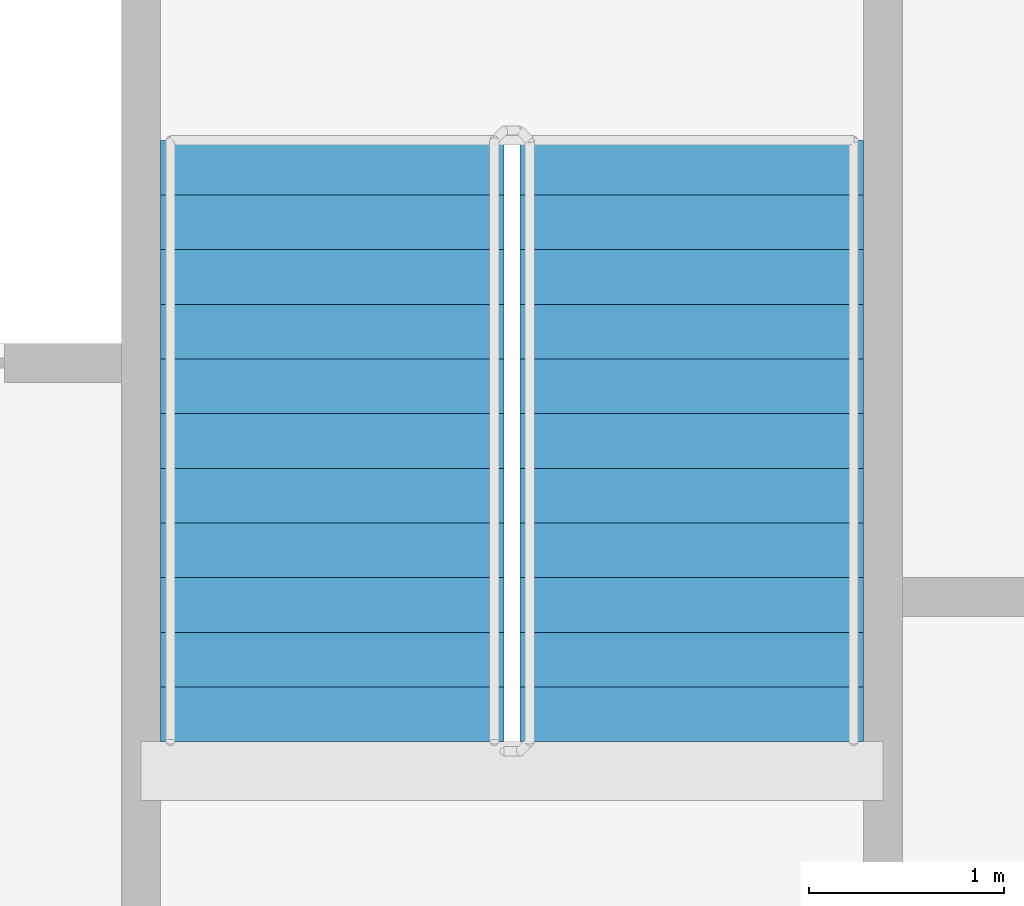
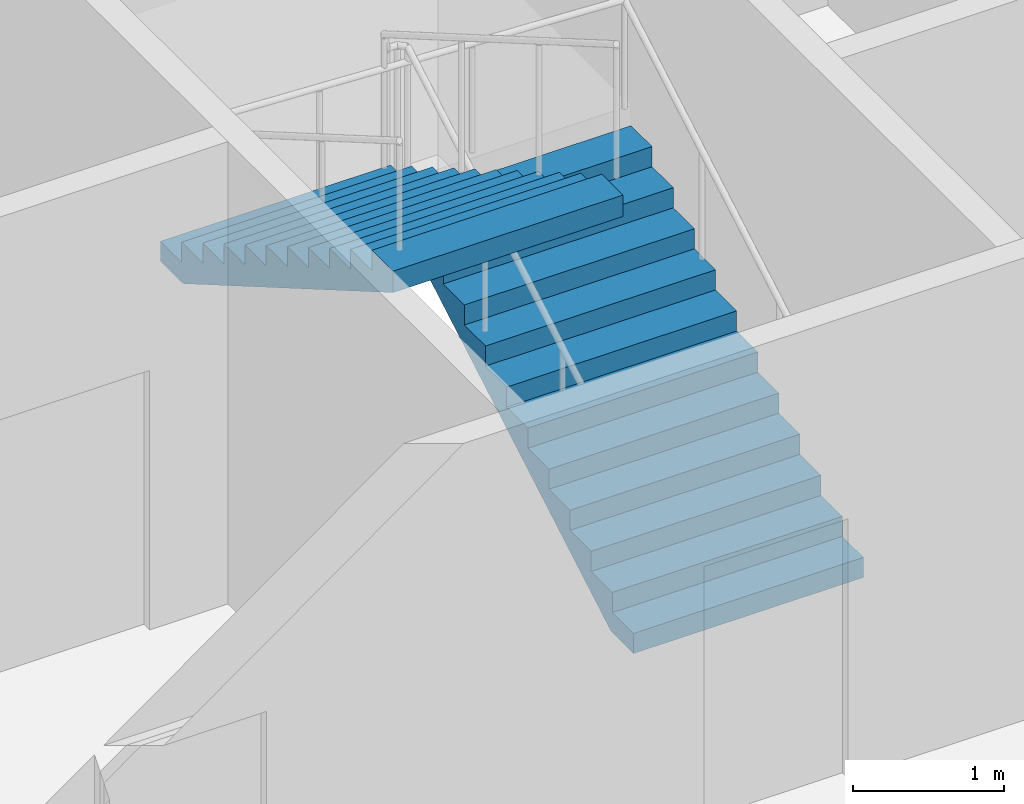
# One storey, part 16 of 21: 2 stair flights, 1 element without a shape of its own.
"""IFC4 building model written with IfcOpenShell, lengths in metres."""

from ifc_helpers import new_model, si_unit, direction, frame, origin, place, context, subcontext, project, spatial, faceted_brep, material, type_object, element, aggregate, save


model = new_model("IFC4")

# Units and contexts
model_context = context("Model", 3, precision=1e-05, world=origin(), true_north=direction((0.0, 1.0)))
body_context = subcontext(model_context, "Body", "Model", "MODEL_VIEW")
ifc_project = project(units=[si_unit("LENGTHUNIT", "METRE"), si_unit("AREAUNIT", "SQUARE_METRE"), si_unit("VOLUMEUNIT", "CUBIC_METRE"), si_unit("PLANEANGLEUNIT", "RADIAN"), si_unit("MASSUNIT", "GRAM", prefix="KILO")], contexts=[model_context])

# Site, building, storey
site_placement = place(None, origin())
site = spatial("IfcSite", under=ifc_project, at=site_placement, CompositionType="ELEMENT")
building_placement = place(site_placement, origin())
building = spatial("IfcBuilding", under=site, at=building_placement, Name="Tarsis Ring Headquarters", CompositionType="ELEMENT")
storey_placement = place(building_placement, frame((0.0, 0.0, 223.800048828125)))
storey = spatial("IfcBuildingStorey", under=building, at=storey_placement, Name="L52", CompositionType="ELEMENT", Elevation=223.800048828125)

# Stair, stair flights
ifc_material_1 = material(Name="Core stair 1760")
stair_type = type_object("IfcStairType", Name="Core stair 1760", PredefinedType="HALF_TURN_STAIR", material=ifc_material_1)
stair_placement = place(storey_placement, origin())
stair = element("IfcStair", 1, at=stair_placement, inside=storey, type_object=stair_type, Name="L52 Exit stair B", PredefinedType="HALF_TURN_STAIR")
ifc_material_2 = material(Name="Concrete C40/50", Category="concrete")
stair_flight_type = type_object("IfcStairFlightType", Name="Core stair flight 1760", PredefinedType="STRAIGHT", material=ifc_material_2)
stair_flight_1_placement = place(storey_placement, frame((5.419921875, 3.659912109375, 0.0), z_axis=(0.0, 0.0, 1.0), x_axis=(0.0, 1.0, 0.0)))
stair_flight_1 = element("IfcStairFlight", 2, at=stair_flight_1_placement, type_object=stair_flight_type, Name="Stair ST2 flight 1", NumberOfRisers=12, NumberOfTreads=11, PredefinedType="STRAIGHT", RiserHeight=0.1625, TreadLength=0.28, context=body_context, shape_type="Brep", body=[
    faceted_brep([(0.0, 0.8798828125, 0.0), (0.0, 0.8798828125, 0.16259765625), (0.280029296875, 0.8798828125, 0.16259765625), (0.280029296875, 0.8798828125, 0.324951171875), (0.56005859375, 0.8798828125, 0.324951171875), (0.56005859375, 0.8798828125, 0.487548828125), (0.840087890625, 0.8798828125, 0.487548828125), (0.840087890625, 0.8798828125, 0.64990234375), (1.1201171875, 0.8798828125, 0.64990234375), (1.1201171875, 0.8798828125, 0.8125), (1.39990234375, 0.8798828125, 0.8125), (1.39990234375, 0.8798828125, 0.97509765625), (1.679931640625, 0.8798828125, 0.97509765625), (1.679931640625, 0.8798828125, 1.137451171875), (1.9599609375, 0.8798828125, 1.137451171875), (1.9599609375, 0.8798828125, 1.300048828125), (2.239990234375, 0.8798828125, 1.300048828125), (2.239990234375, 0.8798828125, 1.46240234375), (2.52001953125, 0.8798828125, 1.46240234375), (2.52001953125, 0.8798828125, 1.625), (2.800048828125, 0.8798828125, 1.625), (2.800048828125, 0.8798828125, 1.78759765625), (3.080078125, 0.8798828125, 1.78759765625), (3.080078125, 0.8798828125, 1.6142578125), (0.298583984375, 0.8798828125, 0.0), (0.298583984375, -0.8798828125, 0.0), (3.080078125, -0.8798828125, 1.6142578125), (3.080078125, -0.8798828125, 1.78759765625), (2.800048828125, -0.8798828125, 1.78759765625), (2.800048828125, -0.8798828125, 1.625), (2.52001953125, -0.8798828125, 1.625), (2.52001953125, -0.8798828125, 1.46240234375), (2.239990234375, -0.8798828125, 1.46240234375), (2.239990234375, -0.8798828125, 1.300048828125), (1.9599609375, -0.8798828125, 1.300048828125), (1.9599609375, -0.8798828125, 1.137451171875), (1.679931640625, -0.8798828125, 1.137451171875), (1.679931640625, -0.8798828125, 0.97509765625), (1.39990234375, -0.8798828125, 0.97509765625), (1.39990234375, -0.8798828125, 0.8125), (1.1201171875, -0.8798828125, 0.8125), (1.1201171875, -0.8798828125, 0.64990234375), (0.840087890625, -0.8798828125, 0.64990234375), (0.840087890625, -0.8798828125, 0.487548828125), (0.56005859375, -0.8798828125, 0.487548828125), (0.56005859375, -0.8798828125, 0.324951171875), (0.280029296875, -0.8798828125, 0.324951171875), (0.280029296875, -0.8798828125, 0.16259765625), (0.0, -0.8798828125, 0.16259765625), (0.0, -0.8798828125, 0.0), (0.0, -0.43994140625, 0.16259765625), (0.0, -0.43994140625, 0.0), (0.0, 0.0, 0.16259765625), (0.0, 0.0, 0.0), (0.0, 0.43994140625, 0.16259765625), (0.0, 0.43994140625, 0.0), (0.280029296875, -0.43994140625, 0.16259765625), (0.280029296875, 0.0, 0.16259765625), (0.280029296875, 0.43994140625, 0.16259765625), (0.280029296875, -0.43994140625, 0.324951171875), (0.280029296875, 0.0, 0.324951171875), (0.280029296875, 0.43994140625, 0.324951171875), (0.56005859375, -0.43994140625, 0.324951171875), (0.56005859375, 0.0, 0.324951171875), (0.56005859375, 0.43994140625, 0.324951171875), (0.56005859375, -0.43994140625, 0.487548828125), (0.56005859375, 0.0, 0.487548828125), (0.56005859375, 0.43994140625, 0.487548828125), (0.840087890625, -0.43994140625, 0.487548828125), (0.840087890625, 0.0, 0.487548828125), (0.840087890625, 0.43994140625, 0.487548828125), (0.840087890625, -0.43994140625, 0.64990234375), (0.840087890625, 0.0, 0.64990234375), (0.840087890625, 0.43994140625, 0.64990234375), (1.1201171875, -0.43994140625, 0.64990234375), (1.1201171875, 0.0, 0.64990234375), (1.1201171875, 0.43994140625, 0.64990234375), (1.1201171875, -0.43994140625, 0.8125), (1.1201171875, 0.0, 0.8125), (1.1201171875, 0.43994140625, 0.8125), (1.39990234375, -0.43994140625, 0.8125), (1.39990234375, 0.0, 0.8125), (1.39990234375, 0.43994140625, 0.8125), (1.39990234375, -0.43994140625, 0.97509765625), (1.39990234375, 0.0, 0.97509765625), (1.39990234375, 0.43994140625, 0.97509765625), (1.679931640625, -0.43994140625, 0.97509765625), (1.679931640625, 0.0, 0.97509765625), (1.679931640625, 0.43994140625, 0.97509765625), (1.679931640625, -0.43994140625, 1.137451171875), (1.679931640625, 0.0, 1.137451171875), (1.679931640625, 0.43994140625, 1.137451171875), (1.9599609375, -0.43994140625, 1.137451171875), (1.9599609375, 0.0, 1.137451171875), (1.9599609375, 0.43994140625, 1.137451171875), (1.9599609375, -0.43994140625, 1.300048828125), (1.9599609375, 0.0, 1.300048828125), (1.9599609375, 0.43994140625, 1.300048828125), (2.239990234375, -0.43994140625, 1.300048828125), (2.239990234375, 0.0, 1.300048828125), (2.239990234375, 0.43994140625, 1.300048828125), (2.239990234375, -0.43994140625, 1.46240234375), (2.239990234375, 0.0, 1.46240234375), (2.239990234375, 0.43994140625, 1.46240234375), (2.52001953125, -0.43994140625, 1.46240234375), (2.52001953125, 0.0, 1.46240234375), (2.52001953125, 0.43994140625, 1.46240234375), (2.52001953125, -0.43994140625, 1.625), (2.52001953125, 0.0, 1.625), (2.52001953125, 0.43994140625, 1.625), (2.800048828125, -0.43994140625, 1.625), (2.800048828125, 0.0, 1.625), (2.800048828125, 0.43994140625, 1.625), (2.800048828125, -0.43994140625, 1.78759765625), (2.800048828125, 0.0, 1.78759765625), (2.800048828125, 0.43994140625, 1.78759765625), (3.080078125, -0.43994140625, 1.78759765625), (3.080078125, 0.0, 1.78759765625), (3.080078125, 0.43994140625, 1.78759765625), (3.080078125, -0.43994140625, 1.6142578125), (3.080078125, 0.0, 1.6142578125), (3.080078125, 0.43994140625, 1.6142578125), (0.298583984375, -0.43994140625, 0.0), (0.298583984375, 0.0, 0.0), (0.298583984375, 0.43994140625, 0.0)], [[[0, 1, 2, 3, 4, 5, 6, 7, 8, 9, 10, 11, 12, 13, 14, 15, 16, 17, 18, 19, 20, 21, 22, 23, 24]], [[25, 26, 27, 28, 29, 30, 31, 32, 33, 34, 35, 36, 37, 38, 39, 40, 41, 42, 43, 44, 45, 46, 47, 48, 49]], [[49, 48, 50, 51]], [[51, 50, 52, 53]], [[53, 52, 54, 55]], [[55, 54, 1, 0]], [[48, 47, 56, 50]], [[50, 56, 57, 52]], [[52, 57, 58, 54]], [[54, 58, 2, 1]], [[47, 46, 59, 56]], [[56, 59, 60, 57]], [[57, 60, 61, 58]], [[58, 61, 3, 2]], [[46, 45, 62, 59]], [[59, 62, 63, 60]], [[60, 63, 64, 61]], [[61, 64, 4, 3]], [[45, 44, 65, 62]], [[62, 65, 66, 63]], [[63, 66, 67, 64]], [[64, 67, 5, 4]], [[44, 43, 68, 65]], [[65, 68, 69, 66]], [[66, 69, 70, 67]], [[67, 70, 6, 5]], [[43, 42, 71, 68]], [[68, 71, 72, 69]], [[69, 72, 73, 70]], [[70, 73, 7, 6]], [[42, 41, 74, 71]], [[71, 74, 75, 72]], [[72, 75, 76, 73]], [[73, 76, 8, 7]], [[41, 40, 77, 74]], [[74, 77, 78, 75]], [[75, 78, 79, 76]], [[76, 79, 9, 8]], [[40, 39, 80, 77]], [[77, 80, 81, 78]], [[78, 81, 82, 79]], [[79, 82, 10, 9]], [[39, 38, 83, 80]], [[80, 83, 84, 81]], [[81, 84, 85, 82]], [[82, 85, 11, 10]], [[38, 37, 86, 83]], [[83, 86, 87, 84]], [[84, 87, 88, 85]], [[85, 88, 12, 11]], [[37, 36, 89, 86]], [[86, 89, 90, 87]], [[87, 90, 91, 88]], [[88, 91, 13, 12]], [[36, 35, 92, 89]], [[89, 92, 93, 90]], [[90, 93, 94, 91]], [[91, 94, 14, 13]], [[35, 34, 95, 92]], [[92, 95, 96, 93]], [[93, 96, 97, 94]], [[94, 97, 15, 14]], [[34, 33, 98, 95]], [[95, 98, 99, 96]], [[96, 99, 100, 97]], [[97, 100, 16, 15]], [[33, 32, 101, 98]], [[98, 101, 102, 99]], [[99, 102, 103, 100]], [[100, 103, 17, 16]], [[32, 31, 104, 101]], [[101, 104, 105, 102]], [[102, 105, 106, 103]], [[103, 106, 18, 17]], [[31, 30, 107, 104]], [[104, 107, 108, 105]], [[105, 108, 109, 106]], [[106, 109, 19, 18]], [[30, 29, 110, 107]], [[107, 110, 111, 108]], [[108, 111, 112, 109]], [[109, 112, 20, 19]], [[29, 28, 113, 110]], [[110, 113, 114, 111]], [[111, 114, 115, 112]], [[112, 115, 21, 20]], [[28, 27, 116, 113]], [[113, 116, 117, 114]], [[114, 117, 118, 115]], [[115, 118, 22, 21]], [[27, 26, 119, 116]], [[116, 119, 120, 117]], [[117, 120, 121, 118]], [[118, 121, 23, 22]], [[26, 25, 122, 119]], [[119, 122, 123, 120]], [[120, 123, 124, 121]], [[121, 124, 24, 23]], [[25, 49, 51, 122]], [[122, 51, 53, 123]], [[123, 53, 55, 124]], [[124, 55, 0, 24]]]),
])
stair_flight_2_placement = place(storey_placement, frame((3.580078125, 6.739990234375, 1.949951171875), z_axis=(0.0, 0.0, 1.0), x_axis=(0.0, -1.0, 0.0)))
stair_flight_2 = element("IfcStairFlight", 3, at=stair_flight_2_placement, type_object=stair_flight_type, Name="Stair ST2 flight 2", NumberOfRisers=12, NumberOfTreads=11, PredefinedType="STRAIGHT", RiserHeight=0.1625, TreadLength=0.28, context=body_context, shape_type="Brep", body=[
    faceted_brep([(0.0, 0.8798828125, 0.0), (0.0, 0.8798828125, 0.16259765625), (0.280029296875, 0.8798828125, 0.16259765625), (0.280029296875, 0.8798828125, 0.324951171875), (0.56005859375, 0.8798828125, 0.324951171875), (0.56005859375, 0.8798828125, 0.487548828125), (0.840087890625, 0.8798828125, 0.487548828125), (0.840087890625, 0.8798828125, 0.64990234375), (1.1201171875, 0.8798828125, 0.64990234375), (1.1201171875, 0.8798828125, 0.8125), (1.39990234375, 0.8798828125, 0.8125), (1.39990234375, 0.8798828125, 0.97509765625), (1.679931640625, 0.8798828125, 0.97509765625), (1.679931640625, 0.8798828125, 1.137451171875), (1.9599609375, 0.8798828125, 1.137451171875), (1.9599609375, 0.8798828125, 1.300048828125), (2.239990234375, 0.8798828125, 1.300048828125), (2.239990234375, 0.8798828125, 1.46240234375), (2.52001953125, 0.8798828125, 1.46240234375), (2.52001953125, 0.8798828125, 1.625), (2.800048828125, 0.8798828125, 1.625), (2.800048828125, 0.8798828125, 1.78759765625), (3.080078125, 0.8798828125, 1.78759765625), (3.080078125, 0.8798828125, 1.6142578125), (0.298583984375, 0.8798828125, 0.0), (0.298583984375, -0.8798828125, 0.0), (3.080078125, -0.8798828125, 1.6142578125), (3.080078125, -0.8798828125, 1.78759765625), (2.800048828125, -0.8798828125, 1.78759765625), (2.800048828125, -0.8798828125, 1.625), (2.52001953125, -0.8798828125, 1.625), (2.52001953125, -0.8798828125, 1.46240234375), (2.239990234375, -0.8798828125, 1.46240234375), (2.239990234375, -0.8798828125, 1.300048828125), (1.9599609375, -0.8798828125, 1.300048828125), (1.9599609375, -0.8798828125, 1.137451171875), (1.679931640625, -0.8798828125, 1.137451171875), (1.679931640625, -0.8798828125, 0.97509765625), (1.39990234375, -0.8798828125, 0.97509765625), (1.39990234375, -0.8798828125, 0.8125), (1.1201171875, -0.8798828125, 0.8125), (1.1201171875, -0.8798828125, 0.64990234375), (0.840087890625, -0.8798828125, 0.64990234375), (0.840087890625, -0.8798828125, 0.487548828125), (0.56005859375, -0.8798828125, 0.487548828125), (0.56005859375, -0.8798828125, 0.324951171875), (0.280029296875, -0.8798828125, 0.324951171875), (0.280029296875, -0.8798828125, 0.16259765625), (0.0, -0.8798828125, 0.16259765625), (0.0, -0.8798828125, 0.0), (0.0, -0.43994140625, 0.16259765625), (0.0, -0.43994140625, 0.0), (0.0, 0.0, 0.16259765625), (0.0, 0.0, 0.0), (0.0, 0.43994140625, 0.16259765625), (0.0, 0.43994140625, 0.0), (0.280029296875, -0.43994140625, 0.16259765625), (0.280029296875, 0.0, 0.16259765625), (0.280029296875, 0.43994140625, 0.16259765625), (0.280029296875, -0.43994140625, 0.324951171875), (0.280029296875, 0.0, 0.324951171875), (0.280029296875, 0.43994140625, 0.324951171875), (0.56005859375, -0.43994140625, 0.324951171875), (0.56005859375, 0.0, 0.324951171875), (0.56005859375, 0.43994140625, 0.324951171875), (0.56005859375, -0.43994140625, 0.487548828125), (0.56005859375, 0.0, 0.487548828125), (0.56005859375, 0.43994140625, 0.487548828125), (0.840087890625, -0.43994140625, 0.487548828125), (0.840087890625, 0.0, 0.487548828125), (0.840087890625, 0.43994140625, 0.487548828125), (0.840087890625, -0.43994140625, 0.64990234375), (0.840087890625, 0.0, 0.64990234375), (0.840087890625, 0.43994140625, 0.64990234375), (1.1201171875, -0.43994140625, 0.64990234375), (1.1201171875, 0.0, 0.64990234375), (1.1201171875, 0.43994140625, 0.64990234375), (1.1201171875, -0.43994140625, 0.8125), (1.1201171875, 0.0, 0.8125), (1.1201171875, 0.43994140625, 0.8125), (1.39990234375, -0.43994140625, 0.8125), (1.39990234375, 0.0, 0.8125), (1.39990234375, 0.43994140625, 0.8125), (1.39990234375, -0.43994140625, 0.97509765625), (1.39990234375, 0.0, 0.97509765625), (1.39990234375, 0.43994140625, 0.97509765625), (1.679931640625, -0.43994140625, 0.97509765625), (1.679931640625, 0.0, 0.97509765625), (1.679931640625, 0.43994140625, 0.97509765625), (1.679931640625, -0.43994140625, 1.137451171875), (1.679931640625, 0.0, 1.137451171875), (1.679931640625, 0.43994140625, 1.137451171875), (1.9599609375, -0.43994140625, 1.137451171875), (1.9599609375, 0.0, 1.137451171875), (1.9599609375, 0.43994140625, 1.137451171875), (1.9599609375, -0.43994140625, 1.300048828125), (1.9599609375, 0.0, 1.300048828125), (1.9599609375, 0.43994140625, 1.300048828125), (2.239990234375, -0.43994140625, 1.300048828125), (2.239990234375, 0.0, 1.300048828125), (2.239990234375, 0.43994140625, 1.300048828125), (2.239990234375, -0.43994140625, 1.46240234375), (2.239990234375, 0.0, 1.46240234375), (2.239990234375, 0.43994140625, 1.46240234375), (2.52001953125, -0.43994140625, 1.46240234375), (2.52001953125, 0.0, 1.46240234375), (2.52001953125, 0.43994140625, 1.46240234375), (2.52001953125, -0.43994140625, 1.625), (2.52001953125, 0.0, 1.625), (2.52001953125, 0.43994140625, 1.625), (2.800048828125, -0.43994140625, 1.625), (2.800048828125, 0.0, 1.625), (2.800048828125, 0.43994140625, 1.625), (2.800048828125, -0.43994140625, 1.78759765625), (2.800048828125, 0.0, 1.78759765625), (2.800048828125, 0.43994140625, 1.78759765625), (3.080078125, -0.43994140625, 1.78759765625), (3.080078125, 0.0, 1.78759765625), (3.080078125, 0.43994140625, 1.78759765625), (3.080078125, -0.43994140625, 1.6142578125), (3.080078125, 0.0, 1.6142578125), (3.080078125, 0.43994140625, 1.6142578125), (0.298583984375, -0.43994140625, 0.0), (0.298583984375, 0.0, 0.0), (0.298583984375, 0.43994140625, 0.0)], [[[0, 1, 2, 3, 4, 5, 6, 7, 8, 9, 10, 11, 12, 13, 14, 15, 16, 17, 18, 19, 20, 21, 22, 23, 24]], [[25, 26, 27, 28, 29, 30, 31, 32, 33, 34, 35, 36, 37, 38, 39, 40, 41, 42, 43, 44, 45, 46, 47, 48, 49]], [[49, 48, 50, 51]], [[51, 50, 52, 53]], [[53, 52, 54, 55]], [[55, 54, 1, 0]], [[48, 47, 56, 50]], [[50, 56, 57, 52]], [[52, 57, 58, 54]], [[54, 58, 2, 1]], [[47, 46, 59, 56]], [[56, 59, 60, 57]], [[57, 60, 61, 58]], [[58, 61, 3, 2]], [[46, 45, 62, 59]], [[59, 62, 63, 60]], [[60, 63, 64, 61]], [[61, 64, 4, 3]], [[45, 44, 65, 62]], [[62, 65, 66, 63]], [[63, 66, 67, 64]], [[64, 67, 5, 4]], [[44, 43, 68, 65]], [[65, 68, 69, 66]], [[66, 69, 70, 67]], [[67, 70, 6, 5]], [[43, 42, 71, 68]], [[68, 71, 72, 69]], [[69, 72, 73, 70]], [[70, 73, 7, 6]], [[42, 41, 74, 71]], [[71, 74, 75, 72]], [[72, 75, 76, 73]], [[73, 76, 8, 7]], [[41, 40, 77, 74]], [[74, 77, 78, 75]], [[75, 78, 79, 76]], [[76, 79, 9, 8]], [[40, 39, 80, 77]], [[77, 80, 81, 78]], [[78, 81, 82, 79]], [[79, 82, 10, 9]], [[39, 38, 83, 80]], [[80, 83, 84, 81]], [[81, 84, 85, 82]], [[82, 85, 11, 10]], [[38, 37, 86, 83]], [[83, 86, 87, 84]], [[84, 87, 88, 85]], [[85, 88, 12, 11]], [[37, 36, 89, 86]], [[86, 89, 90, 87]], [[87, 90, 91, 88]], [[88, 91, 13, 12]], [[36, 35, 92, 89]], [[89, 92, 93, 90]], [[90, 93, 94, 91]], [[91, 94, 14, 13]], [[35, 34, 95, 92]], [[92, 95, 96, 93]], [[93, 96, 97, 94]], [[94, 97, 15, 14]], [[34, 33, 98, 95]], [[95, 98, 99, 96]], [[96, 99, 100, 97]], [[97, 100, 16, 15]], [[33, 32, 101, 98]], [[98, 101, 102, 99]], [[99, 102, 103, 100]], [[100, 103, 17, 16]], [[32, 31, 104, 101]], [[101, 104, 105, 102]], [[102, 105, 106, 103]], [[103, 106, 18, 17]], [[31, 30, 107, 104]], [[104, 107, 108, 105]], [[105, 108, 109, 106]], [[106, 109, 19, 18]], [[30, 29, 110, 107]], [[107, 110, 111, 108]], [[108, 111, 112, 109]], [[109, 112, 20, 19]], [[29, 28, 113, 110]], [[110, 113, 114, 111]], [[111, 114, 115, 112]], [[112, 115, 21, 20]], [[28, 27, 116, 113]], [[113, 116, 117, 114]], [[114, 117, 118, 115]], [[115, 118, 22, 21]], [[27, 26, 119, 116]], [[116, 119, 120, 117]], [[117, 120, 121, 118]], [[118, 121, 23, 22]], [[26, 25, 122, 119]], [[119, 122, 123, 120]], [[120, 123, 124, 121]], [[121, 124, 24, 23]], [[25, 49, 51, 122]], [[122, 51, 53, 123]], [[123, 53, 55, 124]], [[124, 55, 0, 24]]]),
])
aggregate(stair, [stair_flight_1, stair_flight_2])

save(model, "model.ifc")
